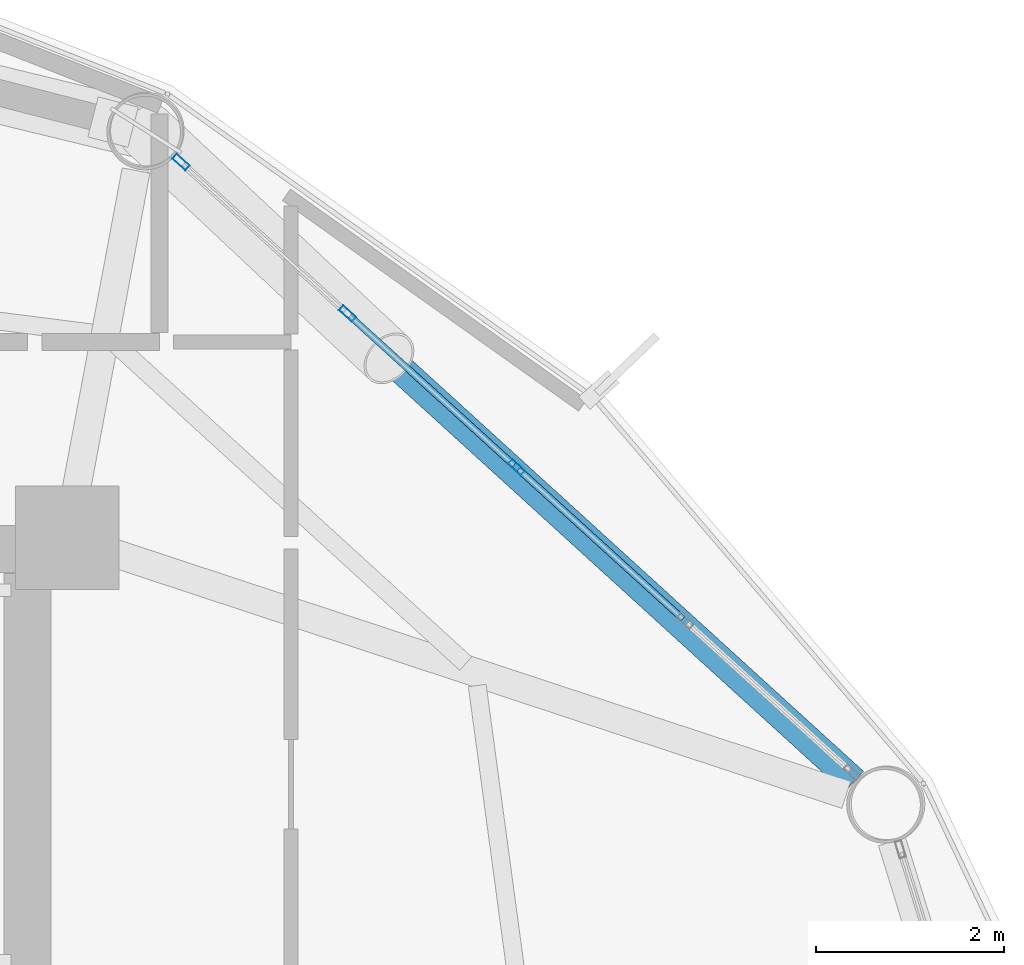
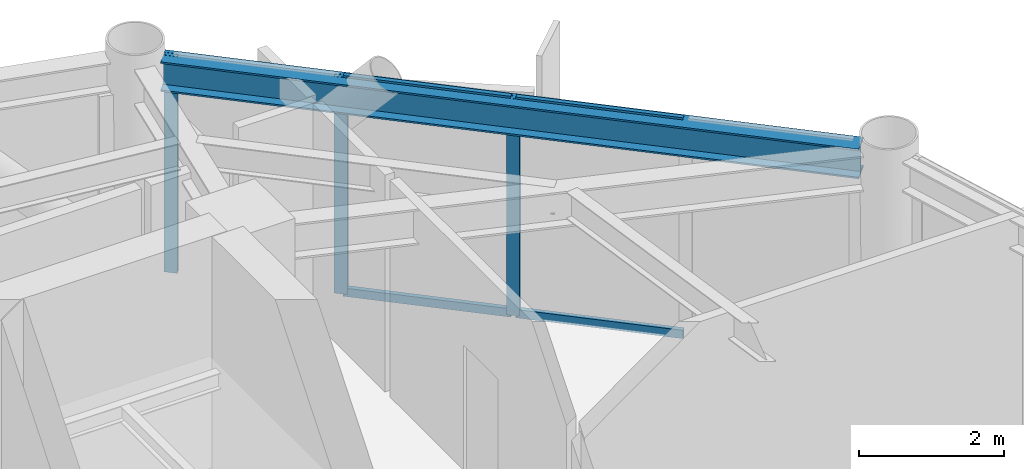
# One storey, part 18 of 25: 7 members, 1 beam, 1 element without a shape of its own.
"""IFC4 building model written with IfcOpenShell, lengths in metres."""

from ifc_helpers import new_model, si_unit, direction, frame, origin, origin_2d, place, context, subcontext, project, spatial, hollow_rectangle, i_section, extrude, material, layer, layer_set, material_profile, profile_set, type_object, element, aggregate, save


model = new_model("IFC4")

# Units and contexts
model_context = context("Model", 3, precision=1e-05, world=origin(), true_north=direction((0.0, 1.0)))
body_context = subcontext(model_context, "Body", "Model", "MODEL_VIEW")
ifc_project = project(units=[si_unit("LENGTHUNIT", "METRE"), si_unit("AREAUNIT", "SQUARE_METRE"), si_unit("VOLUMEUNIT", "CUBIC_METRE"), si_unit("PLANEANGLEUNIT", "RADIAN"), si_unit("MASSUNIT", "GRAM", prefix="KILO")], contexts=[model_context])

# Site, building, storey
site_placement = place(None, origin())
site = spatial("IfcSite", under=ifc_project, at=site_placement, CompositionType="ELEMENT")
building_placement = place(site_placement, origin())
building = spatial("IfcBuilding", under=site, at=building_placement, Name="Varnakorn Sky Granary", CompositionType="ELEMENT")
storey_placement = place(building_placement, frame((0.0, 0.0, 99.300048828125)))
storey = spatial("IfcBuildingStorey", under=building, at=storey_placement, Name="L24", CompositionType="ELEMENT", Elevation=99.300048828125)

# Beam
ifc_material_1 = material(Name="Steel S355JR", Category="steel")
ifc_material_profile_1 = material_profile(ifc_material_1, i_section(OverallWidth=0.300048828125, OverallDepth=0.5, WebThickness=0.014404296875, FlangeThickness=0.028076171875, at=origin_2d()), Name="HE 500 B")
ifc_profile_set_1 = profile_set([ifc_material_profile_1], Name="Steel S355JR")
beam_type = type_object("IfcBeamType", Name="BM-SPD-Z2", PredefinedType="SPANDREL", material=ifc_profile_set_1)
beam_placement = place(storey_placement, frame((16.784912109375, 10.02587890625, 3.389892578125), z_axis=(-0.739474794298, 0.673184245655, 0.0), x_axis=(-0.673184245655, -0.739474794298, 0.0)))
element("IfcBeam", 1, at=beam_placement, inside=storey, type_object=beam_type, Name="Perimeter Spandrel Ring Beam RB02 L24", PredefinedType="SPANDREL", context=body_context, shape_type="SweptSolid", body=[
    extrude(i_section(OverallWidth=0.300048828125, OverallDepth=0.5, WebThickness=0.014404296875, FlangeThickness=0.028076171875, at=origin_2d()), origin(), (0.0, 0.0, 1.0), 9.833251953125),
])

# Curtain wall, members
ifc_material_2 = material(Name="Anodised Bronze Aluminium Alloy 6063-T6", Category="aluminium")
ifc_layer = layer(ifc_material_2, 0.18994140625, Name="Anodised Bronze Aluminium Alloy 6063-T6")
ifc_layer_set = layer_set([ifc_layer], Name="Anodised Bronze Aluminium Alloy 6063-T6")
curtain_wall_type = type_object("IfcCurtainWallType", Name="CW-FRM-1", PredefinedType="USERDEFINED", material=ifc_layer_set)
curtain_wall_placement = place(storey_placement, origin())
curtain_wall = element("IfcCurtainWall", 2, at=curtain_wall_placement, inside=storey, type_object=curtain_wall_type, Name="Unitised Curtain Wall CW3 CW-L24-B02", ObjectType="CURTAIN WALL", PredefinedType="USERDEFINED")
ifc_material_profile_2 = material_profile(ifc_material_2, hollow_rectangle(XDim=0.070068359375, YDim=0.18505859375, WallThickness=0.00390625, at=origin_2d()), Name="ALU MULL 70x185")
ifc_profile_set_2 = profile_set([ifc_material_profile_2], Name="Anodised Bronze Aluminium Alloy 6063-T6")
member_type_1 = type_object("IfcMemberType", Name="CW-FRM-1-MULL", PredefinedType="MULLION", material=ifc_profile_set_2)
member_1_placement = place(storey_placement, frame((9.62841796875, 16.6123046875, 0.0), z_axis=(0.0, 0.0, 1.0), x_axis=(0.672918732545, 0.739716418224, 0.0)))
member_1 = element("IfcMember", 3, at=member_1_placement, type_object=member_type_1, Name="CW3 mullion 1", PredefinedType="MULLION", context=body_context, shape_type="SweptSolid", body=[
    extrude(hollow_rectangle(XDim=0.070068359375, YDim=0.18505859375, WallThickness=0.00390625, at=origin_2d()), origin(), (0.0, 0.0, 1.0), 3.639892578125),
])
member_2_placement = place(storey_placement, frame((11.398681640625, 15.001953125, 0.0), z_axis=(0.0, 0.0, 1.0), x_axis=(0.672918732545, 0.739716418224, 0.0)))
member_2 = element("IfcMember", 4, at=member_2_placement, type_object=member_type_1, Name="CW3 mullion 2", PredefinedType="MULLION", context=body_context, shape_type="SweptSolid", body=[
    extrude(hollow_rectangle(XDim=0.070068359375, YDim=0.18505859375, WallThickness=0.00390625, at=origin_2d()), origin(), (0.0, 0.0, 1.0), 3.639892578125),
])
member_3_placement = place(storey_placement, frame((13.195068359375, 13.367919921875, 0.0), z_axis=(0.0, 0.0, 1.0), x_axis=(0.672918732545, 0.739716418224, 0.0)))
member_3 = element("IfcMember", 5, at=member_3_placement, type_object=member_type_1, Name="CW3 mullion 3", PredefinedType="MULLION", context=body_context, shape_type="SweptSolid", body=[
    extrude(hollow_rectangle(XDim=0.070068359375, YDim=0.18505859375, WallThickness=0.00390625, at=origin_2d()), origin(), (0.0, 0.0, 1.0), 3.639892578125),
])
ifc_material_profile_3 = material_profile(ifc_material_2, hollow_rectangle(XDim=0.070068359375, YDim=0.139892578125, WallThickness=0.00341796875, at=origin_2d()), Name="ALU TRAN 70x140")
ifc_profile_set_3 = profile_set([ifc_material_profile_3], Name="Anodised Bronze Aluminium Alloy 6063-T6")
member_type_2 = type_object("IfcMemberType", Name="CW-FRM-1-TRAN", PredefinedType="USERDEFINED", material=ifc_profile_set_3)
member_4_placement = place(storey_placement, frame((11.4248046875, 14.978271484375, 0.034912109375), z_axis=(0.739705802851, -0.672930401474, 0.0), x_axis=(0.672930401474, 0.739705802851, 0.0)))
member_4 = element("IfcMember", 6, at=member_4_placement, type_object=member_type_2, Name="CW3 transom 2.1", ObjectType="TRANSOM", PredefinedType="USERDEFINED", context=body_context, shape_type="SweptSolid", body=[
    extrude(hollow_rectangle(XDim=0.070068359375, YDim=0.139892578125, WallThickness=0.00341796875, at=origin_2d()), origin(), (0.0, 0.0, 1.0), 2.358154296875),
])
member_5_placement = place(storey_placement, frame((11.4248046875, 14.978271484375, 3.60498046875), z_axis=(0.739705802851, -0.672930401474, 0.0), x_axis=(0.672930401474, 0.739705802851, 0.0)))
member_5 = element("IfcMember", 7, at=member_5_placement, type_object=member_type_2, Name="CW3 transom 2.2", ObjectType="TRANSOM", PredefinedType="USERDEFINED", context=body_context, shape_type="SweptSolid", body=[
    extrude(hollow_rectangle(XDim=0.070068359375, YDim=0.139892578125, WallThickness=0.00341796875, at=origin_2d()), origin(), (0.0, 0.0, 1.0), 2.358154296875),
])
member_6_placement = place(storey_placement, frame((13.220947265625, 13.34423828125, 0.034912109375), z_axis=(0.739757337336, -0.672873748824, 0.0), x_axis=(0.672873748824, 0.739757337336, 0.0)))
member_6 = element("IfcMember", 8, at=member_6_placement, type_object=member_type_2, Name="CW3 transom 3.1", ObjectType="TRANSOM", PredefinedType="USERDEFINED", context=body_context, shape_type="SweptSolid", body=[
    extrude(hollow_rectangle(XDim=0.070068359375, YDim=0.139892578125, WallThickness=0.00341796875, at=origin_2d()), origin(), (0.0, 0.0, 1.0), 2.358154296875),
])
member_7_placement = place(storey_placement, frame((13.220947265625, 13.34423828125, 3.60498046875), z_axis=(0.739757337336, -0.672873748824, 0.0), x_axis=(0.672873748824, 0.739757337336, 0.0)))
member_7 = element("IfcMember", 9, at=member_7_placement, type_object=member_type_2, Name="CW3 transom 3.2", ObjectType="TRANSOM", PredefinedType="USERDEFINED", context=body_context, shape_type="SweptSolid", body=[
    extrude(hollow_rectangle(XDim=0.070068359375, YDim=0.139892578125, WallThickness=0.00341796875, at=origin_2d()), origin(), (0.0, 0.0, 1.0), 2.358154296875),
])
aggregate(curtain_wall, [member_1, member_2, member_3, member_4, member_5, member_6, member_7])

save(model, "model.ifc")
